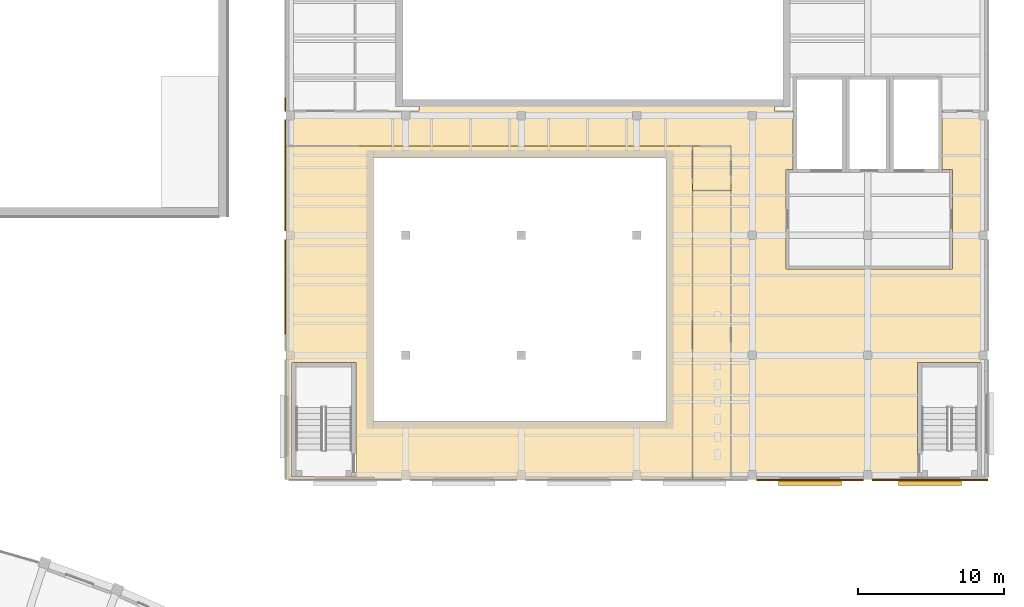
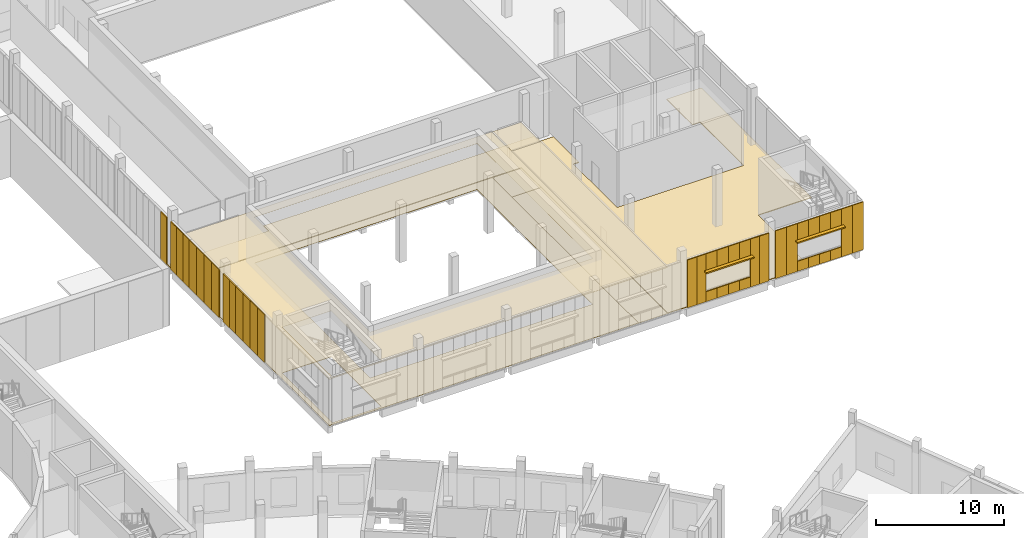
# One storey, part 107 of 112: 45 coverings, 2 shading devices.
"""IFC4 building model written with IfcOpenShell, lengths in metres."""

from ifc_helpers import new_model, si_unit, direction, frame, origin, origin_2d, place, context, subcontext, project, spatial, polyline, rectangle, outline, extrude, material, layer, layer_set, type_object, element, save


model = new_model("IFC4")

# Units and contexts
model_context = context("Model", 3, precision=1e-05, world=origin(), true_north=direction((0.0, 1.0)))
body_context = subcontext(model_context, "Body", "Model", "MODEL_VIEW")
ifc_project = project(units=[si_unit("LENGTHUNIT", "METRE"), si_unit("AREAUNIT", "SQUARE_METRE"), si_unit("VOLUMEUNIT", "CUBIC_METRE"), si_unit("PLANEANGLEUNIT", "RADIAN"), si_unit("MASSUNIT", "GRAM", prefix="KILO")], contexts=[model_context])

# Site, building, storey
site_placement = place(None, origin())
site = spatial("IfcSite", under=ifc_project, at=site_placement, CompositionType="ELEMENT")
building_placement = place(site_placement, origin())
building = spatial("IfcBuilding", under=site, at=building_placement, Name="Lunette Opera House", CompositionType="ELEMENT")
storey_placement = place(building_placement, frame((0.0, 0.0, 6.0)))
storey = spatial("IfcBuildingStorey", under=building, at=storey_placement, Name="L01", CompositionType="ELEMENT", Elevation=6.0)

# Coverings
ifc_material_1 = material(Name="Dark grey aluminium cassette", Category="aluminium")
ifc_layer_1 = layer(ifc_material_1, 0.080078125)
ifc_layer_set_1 = layer_set([ifc_layer_1], Name="Dark grey aluminium cassette")
covering_type_1 = type_object("IfcCoveringType", Name="DARK METAL CASSETTE 80", PredefinedType="CLADDING", material=ifc_layer_set_1)
covering_1_placement = place(storey_placement, frame((135.9599609375, 103.6630859375, 0.0), z_axis=(0.0, 0.0, 1.0), x_axis=(0.0, -1.0, 0.0)))
element("IfcCovering", 1, at=covering_1_placement, inside=storey, type_object=covering_type_1, Name="Dark Metal Cassette 80 WK L01", PredefinedType="CLADDING", context=body_context, shape_type="SweptSolid", body=[
    extrude(rectangle(XDim=0.925048828125, YDim=0.080078125, at=origin_2d()), origin(), (0.0, 0.0, 1.0), 4.550048828125),
])
for number, where, z_axis, x_axis, name in (
    (2, (135.9599609375, 102.112060546875, 0.0), (0.0, 0.0, 1.0), (0.0, -1.0, 0.0), "Dark Metal Cassette 80 WK L01"),
    (3, (135.9599609375, 101.136962890625, 0.0), (0.0, 0.0, 1.0), (0.0, -1.0, 0.0), "Dark Metal Cassette 80 WK L01"),
    (4, (135.9599609375, 100.162109375, 0.0), (0.0, 0.0, 1.0), (0.0, -1.0, 0.0), "Dark Metal Cassette 80 WK L01"),
):
    element("IfcCovering", number, at=place(storey_placement, frame(where, z_axis=z_axis, x_axis=x_axis)), inside=storey, type_object=covering_type_1, Name=name, PredefinedType="CLADDING", context=body_context, shape_type="SweptSolid", body=[
        extrude(rectangle(XDim=0.97509765625, YDim=0.080078125, at=origin_2d()), origin(), (0.0, 0.0, 1.0), 4.550048828125),
    ])
for number, where, z_axis, x_axis, name in (
    (5, (135.9599609375, 99.091064453125, 0.0), (0.0, 0.0, 1.0), (0.0, -1.0, 0.0), "Dark Metal Cassette 80 WK L01"),
    (6, (135.9599609375, 97.922119140625, 0.0), (0.0, 0.0, 1.0), (0.0, -1.0, 0.0), "Dark Metal Cassette 80 WK L01"),
    (7, (135.9599609375, 96.7529296875, 0.0), (0.0, 0.0, 1.0), (0.0, -1.0, 0.0), "Dark Metal Cassette 80 WK L01"),
    (8, (135.9599609375, 95.583984375, 0.0), (0.0, 0.0, 1.0), (0.0, -1.0, 0.0), "Dark Metal Cassette 80 WK L01"),
):
    element("IfcCovering", number, at=place(storey_placement, frame(where, z_axis=z_axis, x_axis=x_axis)), inside=storey, type_object=covering_type_1, Name=name, PredefinedType="CLADDING", context=body_context, shape_type="SweptSolid", body=[
        extrude(rectangle(XDim=1.1689453125, YDim=0.080078125, at=origin_2d()), origin(), (0.0, 0.0, 1.0), 4.550048828125),
    ])
for number, where, z_axis, x_axis, name in (
    (9, (135.9599609375, 93.9130859375, 0.0), (0.0, 0.0, 1.0), (0.0, -1.0, 0.0), "Dark Metal Cassette 80 WK L01"),
    (10, (135.9599609375, 92.93798828125, 0.0), (0.0, 0.0, 1.0), (0.0, -1.0, 0.0), "Dark Metal Cassette 80 WK L01"),
):
    element("IfcCovering", number, at=place(storey_placement, frame(where, z_axis=z_axis, x_axis=x_axis)), inside=storey, type_object=covering_type_1, Name=name, PredefinedType="CLADDING", context=body_context, shape_type="SweptSolid", body=[
        extrude(rectangle(XDim=0.97509765625, YDim=0.080078125, at=origin_2d()), origin(), (0.0, 0.0, 1.0), 4.550048828125),
    ])
for number, where, z_axis, x_axis, name in (
    (11, (135.9599609375, 91.885009765625, 0.0), (0.0, 0.0, 1.0), (0.0, -1.0, 0.0), "Dark Metal Cassette 80 WK L01"),
    (12, (135.9599609375, 90.7548828125, 0.0), (0.0, 0.0, 1.0), (0.0, -1.0, 0.0), "Dark Metal Cassette 80 WK L01"),
    (13, (135.9599609375, 89.625, 0.0), (0.0, 0.0, 1.0), (0.0, -1.0, 0.0), "Dark Metal Cassette 80 WK L01"),
    (14, (135.9599609375, 88.4951171875, 0.0), (0.0, 0.0, 1.0), (0.0, -1.0, 0.0), "Dark Metal Cassette 80 WK L01"),
):
    element("IfcCovering", number, at=place(storey_placement, frame(where, z_axis=z_axis, x_axis=x_axis)), inside=storey, type_object=covering_type_1, Name=name, PredefinedType="CLADDING", context=body_context, shape_type="SweptSolid", body=[
        extrude(rectangle(XDim=1.1298828125, YDim=0.080078125, at=origin_2d()), origin(), (0.0, 0.0, 1.0), 4.550048828125),
    ])
for number, where, z_axis, x_axis, name in (
    (15, (168.612060546875, 77.9599609375, 0.0), (0.0, 0.0, 1.0), (1.0, 0.0, 0.0), "Dark Metal Cassette 80 WK L01"),
    (16, (169.43798828125, 77.9599609375, 0.0), (0.0, 0.0, 1.0), (1.0, 0.0, 0.0), "Dark Metal Cassette 80 WK L01"),
):
    element("IfcCovering", number, at=place(storey_placement, frame(where, z_axis=z_axis, x_axis=x_axis)), inside=storey, type_object=covering_type_1, Name=name, PredefinedType="CLADDING", context=body_context, shape_type="SweptSolid", body=[
        extrude(rectangle(XDim=0.824951171875, YDim=0.080078125, at=origin_2d()), origin(), (0.0, 0.0, 1.0), 4.550048828125),
    ])
covering_2_placement = place(storey_placement, frame((170.35009765625, 77.9599609375, 0.0), z_axis=(0.0, 0.0, 1.0), x_axis=(1.0, 0.0, 0.0)))
element("IfcCovering", 17, at=covering_2_placement, inside=storey, type_object=covering_type_1, Name="Dark Metal Cassette 80 WK L01", PredefinedType="CLADDING", context=body_context, shape_type="SweptSolid", body=[
    extrude(rectangle(XDim=1.0, YDim=0.080078125, at=origin_2d()), origin(), (0.0, 0.0, 1.0), 0.949951171875),
])
covering_3_placement = place(storey_placement, frame((170.35009765625, 77.9599609375, 3.0), z_axis=(0.0, 0.0, 1.0), x_axis=(1.0, 0.0, 0.0)))
element("IfcCovering", 18, at=covering_3_placement, inside=storey, type_object=covering_type_1, Name="Dark Metal Cassette 80 WK L01", PredefinedType="CLADDING", context=body_context, shape_type="SweptSolid", body=[
    extrude(rectangle(XDim=1.0, YDim=0.080078125, at=origin_2d()), origin(), (0.0, 0.0, 1.0), 1.550048828125),
])
covering_4_placement = place(storey_placement, frame((171.35009765625, 77.9599609375, 0.0), z_axis=(0.0, 0.0, 1.0), x_axis=(1.0, 0.0, 0.0)))
element("IfcCovering", 19, at=covering_4_placement, inside=storey, type_object=covering_type_1, Name="Dark Metal Cassette 80 WK L01", PredefinedType="CLADDING", context=body_context, shape_type="SweptSolid", body=[
    extrude(rectangle(XDim=1.0, YDim=0.080078125, at=origin_2d()), origin(), (0.0, 0.0, 1.0), 0.949951171875),
])
covering_5_placement = place(storey_placement, frame((171.35009765625, 77.9599609375, 3.0), z_axis=(0.0, 0.0, 1.0), x_axis=(1.0, 0.0, 0.0)))
element("IfcCovering", 20, at=covering_5_placement, inside=storey, type_object=covering_type_1, Name="Dark Metal Cassette 80 WK L01", PredefinedType="CLADDING", context=body_context, shape_type="SweptSolid", body=[
    extrude(rectangle(XDim=1.0, YDim=0.080078125, at=origin_2d()), origin(), (0.0, 0.0, 1.0), 1.550048828125),
])
covering_6_placement = place(storey_placement, frame((172.35009765625, 77.9599609375, 0.0), z_axis=(0.0, 0.0, 1.0), x_axis=(1.0, 0.0, 0.0)))
element("IfcCovering", 21, at=covering_6_placement, inside=storey, type_object=covering_type_1, Name="Dark Metal Cassette 80 WK L01", PredefinedType="CLADDING", context=body_context, shape_type="SweptSolid", body=[
    extrude(rectangle(XDim=1.0, YDim=0.080078125, at=origin_2d()), origin(), (0.0, 0.0, 1.0), 0.949951171875),
])
covering_7_placement = place(storey_placement, frame((172.35009765625, 77.9599609375, 3.0), z_axis=(0.0, 0.0, 1.0), x_axis=(1.0, 0.0, 0.0)))
element("IfcCovering", 22, at=covering_7_placement, inside=storey, type_object=covering_type_1, Name="Dark Metal Cassette 80 WK L01", PredefinedType="CLADDING", context=body_context, shape_type="SweptSolid", body=[
    extrude(rectangle(XDim=1.0, YDim=0.080078125, at=origin_2d()), origin(), (0.0, 0.0, 1.0), 1.550048828125),
])
covering_8_placement = place(storey_placement, frame((173.35009765625, 77.9599609375, 0.0), z_axis=(0.0, 0.0, 1.0), x_axis=(1.0, 0.0, 0.0)))
element("IfcCovering", 23, at=covering_8_placement, inside=storey, type_object=covering_type_1, Name="Dark Metal Cassette 80 WK L01", PredefinedType="CLADDING", context=body_context, shape_type="SweptSolid", body=[
    extrude(rectangle(XDim=1.0, YDim=0.080078125, at=origin_2d()), origin(), (0.0, 0.0, 1.0), 0.949951171875),
])
covering_9_placement = place(storey_placement, frame((173.35009765625, 77.9599609375, 3.0), z_axis=(0.0, 0.0, 1.0), x_axis=(1.0, 0.0, 0.0)))
element("IfcCovering", 24, at=covering_9_placement, inside=storey, type_object=covering_type_1, Name="Dark Metal Cassette 80 WK L01", PredefinedType="CLADDING", context=body_context, shape_type="SweptSolid", body=[
    extrude(rectangle(XDim=1.0, YDim=0.080078125, at=origin_2d()), origin(), (0.0, 0.0, 1.0), 1.550048828125),
])
for number, where, z_axis, x_axis, name in (
    (25, (174.261962890625, 77.9599609375, 0.0), (0.0, 0.0, 1.0), (1.0, 0.0, 0.0), "Dark Metal Cassette 80 WK L01"),
    (26, (175.087890625, 77.9599609375, 0.0), (0.0, 0.0, 1.0), (1.0, 0.0, 0.0), "Dark Metal Cassette 80 WK L01"),
):
    element("IfcCovering", number, at=place(storey_placement, frame(where, z_axis=z_axis, x_axis=x_axis)), inside=storey, type_object=covering_type_1, Name=name, PredefinedType="CLADDING", context=body_context, shape_type="SweptSolid", body=[
        extrude(rectangle(XDim=0.824951171875, YDim=0.080078125, at=origin_2d()), origin(), (0.0, 0.0, 1.0), 4.550048828125),
    ])
for number, where, z_axis, x_axis, name in (
    (27, (176.587890625, 77.9599609375, 0.0), (0.0, 0.0, 1.0), (1.0, 0.0, 0.0), "Dark Metal Cassette 80 WK L01"),
    (28, (177.56201171875, 77.9599609375, 0.0), (0.0, 0.0, 1.0), (1.0, 0.0, 0.0), "Dark Metal Cassette 80 WK L01"),
):
    element("IfcCovering", number, at=place(storey_placement, frame(where, z_axis=z_axis, x_axis=x_axis)), inside=storey, type_object=covering_type_1, Name=name, PredefinedType="CLADDING", context=body_context, shape_type="SweptSolid", body=[
        extrude(rectangle(XDim=0.97509765625, YDim=0.080078125, at=origin_2d()), origin(), (0.0, 0.0, 1.0), 4.550048828125),
    ])
covering_10_placement = place(storey_placement, frame((178.550048828125, 77.9599609375, 0.0), z_axis=(0.0, 0.0, 1.0), x_axis=(1.0, 0.0, 0.0)))
element("IfcCovering", 29, at=covering_10_placement, inside=storey, type_object=covering_type_1, Name="Dark Metal Cassette 80 WK L01", PredefinedType="CLADDING", context=body_context, shape_type="SweptSolid", body=[
    extrude(rectangle(XDim=1.0, YDim=0.080078125, at=origin_2d()), origin(), (0.0, 0.0, 1.0), 0.949951171875),
])
covering_11_placement = place(storey_placement, frame((178.550048828125, 77.9599609375, 3.0), z_axis=(0.0, 0.0, 1.0), x_axis=(1.0, 0.0, 0.0)))
element("IfcCovering", 30, at=covering_11_placement, inside=storey, type_object=covering_type_1, Name="Dark Metal Cassette 80 WK L01", PredefinedType="CLADDING", context=body_context, shape_type="SweptSolid", body=[
    extrude(rectangle(XDim=1.0, YDim=0.080078125, at=origin_2d()), origin(), (0.0, 0.0, 1.0), 1.550048828125),
])
covering_12_placement = place(storey_placement, frame((179.550048828125, 77.9599609375, 0.0), z_axis=(0.0, 0.0, 1.0), x_axis=(1.0, 0.0, 0.0)))
element("IfcCovering", 31, at=covering_12_placement, inside=storey, type_object=covering_type_1, Name="Dark Metal Cassette 80 WK L01", PredefinedType="CLADDING", context=body_context, shape_type="SweptSolid", body=[
    extrude(rectangle(XDim=1.0, YDim=0.080078125, at=origin_2d()), origin(), (0.0, 0.0, 1.0), 0.949951171875),
])
covering_13_placement = place(storey_placement, frame((179.550048828125, 77.9599609375, 3.0), z_axis=(0.0, 0.0, 1.0), x_axis=(1.0, 0.0, 0.0)))
element("IfcCovering", 32, at=covering_13_placement, inside=storey, type_object=covering_type_1, Name="Dark Metal Cassette 80 WK L01", PredefinedType="CLADDING", context=body_context, shape_type="SweptSolid", body=[
    extrude(rectangle(XDim=1.0, YDim=0.080078125, at=origin_2d()), origin(), (0.0, 0.0, 1.0), 1.550048828125),
])
covering_14_placement = place(storey_placement, frame((180.550048828125, 77.9599609375, 0.0), z_axis=(0.0, 0.0, 1.0), x_axis=(1.0, 0.0, 0.0)))
element("IfcCovering", 33, at=covering_14_placement, inside=storey, type_object=covering_type_1, Name="Dark Metal Cassette 80 WK L01", PredefinedType="CLADDING", context=body_context, shape_type="SweptSolid", body=[
    extrude(rectangle(XDim=1.0, YDim=0.080078125, at=origin_2d()), origin(), (0.0, 0.0, 1.0), 0.949951171875),
])
covering_15_placement = place(storey_placement, frame((180.550048828125, 77.9599609375, 3.0), z_axis=(0.0, 0.0, 1.0), x_axis=(1.0, 0.0, 0.0)))
element("IfcCovering", 34, at=covering_15_placement, inside=storey, type_object=covering_type_1, Name="Dark Metal Cassette 80 WK L01", PredefinedType="CLADDING", context=body_context, shape_type="SweptSolid", body=[
    extrude(rectangle(XDim=1.0, YDim=0.080078125, at=origin_2d()), origin(), (0.0, 0.0, 1.0), 1.550048828125),
])
covering_16_placement = place(storey_placement, frame((181.550048828125, 77.9599609375, 0.0), z_axis=(0.0, 0.0, 1.0), x_axis=(1.0, 0.0, 0.0)))
element("IfcCovering", 35, at=covering_16_placement, inside=storey, type_object=covering_type_1, Name="Dark Metal Cassette 80 WK L01", PredefinedType="CLADDING", context=body_context, shape_type="SweptSolid", body=[
    extrude(rectangle(XDim=1.0, YDim=0.080078125, at=origin_2d()), origin(), (0.0, 0.0, 1.0), 0.949951171875),
])
covering_17_placement = place(storey_placement, frame((181.550048828125, 77.9599609375, 3.0), z_axis=(0.0, 0.0, 1.0), x_axis=(1.0, 0.0, 0.0)))
element("IfcCovering", 36, at=covering_17_placement, inside=storey, type_object=covering_type_1, Name="Dark Metal Cassette 80 WK L01", PredefinedType="CLADDING", context=body_context, shape_type="SweptSolid", body=[
    extrude(rectangle(XDim=1.0, YDim=0.080078125, at=origin_2d()), origin(), (0.0, 0.0, 1.0), 1.550048828125),
])
for number, where, z_axis, x_axis, name in (
    (37, (182.537109375, 77.9599609375, 0.0), (0.0, 0.0, 1.0), (1.0, 0.0, 0.0), "Dark Metal Cassette 80 WK L01"),
    (38, (183.511962890625, 77.9599609375, 0.0), (0.0, 0.0, 1.0), (1.0, 0.0, 0.0), "Dark Metal Cassette 80 WK L01"),
):
    element("IfcCovering", number, at=place(storey_placement, frame(where, z_axis=z_axis, x_axis=x_axis)), inside=storey, type_object=covering_type_1, Name=name, PredefinedType="CLADDING", context=body_context, shape_type="SweptSolid", body=[
        extrude(rectangle(XDim=0.97509765625, YDim=0.080078125, at=origin_2d()), origin(), (0.0, 0.0, 1.0), 4.550048828125),
    ])
ifc_material_2 = material(Name="Cement screed")
ifc_layer_2 = layer(ifc_material_2, 0.070068359375)
ifc_layer_set_2 = layer_set([ifc_layer_2], Name="Cement screed")
covering_type_2 = type_object("IfcCoveringType", Name="SCREED FLOOR FINISH 70", PredefinedType="FLOORING", material=ifc_layer_set_2)
covering_18_placement = place(storey_placement, origin())
element("IfcCovering", 39, at=covering_18_placement, inside=storey, type_object=covering_type_2, Name="Floor finish Corridor L01 Workshop", PredefinedType="FLOORING", context=body_context, shape_type="SweptSolid", body=[
    extrude(outline(polyline([(180.89990234375, 99.199951171875), (180.89990234375, 100.800048828125), (180.89990234375, 103.199951171875), (184.0, 103.199951171875), (184.0, 100.800048828125), (184.0, 86.0009765625), (183.597900390625, 86.0009765625), (183.597900390625, 86.0), (179.199951171875, 86.0), (179.199951171875, 78.201904296875), (179.198974609375, 78.201904296875), (179.198974609375, 78.0), (166.4541015625, 78.0), (166.4541015625, 100.800048828125), (136.0, 100.800048828125), (136.0, 103.199951171875), (145.112060546875, 103.199951171875), (145.112060546875, 104.0), (159.471923828125, 104.0), (169.4130859375, 104.0), (169.4130859375, 103.199951171875), (170.699951171875, 103.199951171875), (170.699951171875, 100.800048828125), (170.699951171875, 99.199951171875), (170.199951171875, 99.199951171875), (170.199951171875, 92.39990234375), (181.60009765625, 92.39990234375), (181.60009765625, 99.199951171875), (180.89990234375, 99.199951171875)])), origin(), (0.0, 0.0, 1.0), 0.070068359375),
])
ifc_material_3 = material(Name="Mineral fibre board")
ifc_layer_3 = layer(ifc_material_3, 0.014892578125)
ifc_layer_set_3 = layer_set([ifc_layer_3], Name="Mineral fibre board")
covering_type_3 = type_object("IfcCoveringType", Name="SUSPENDED ACOUSTIC CEILING 15", PredefinedType="CEILING", material=ifc_layer_set_3)
covering_19_placement = place(storey_placement, frame((0.0, 0.0, 4.385009765625)))
element("IfcCovering", 40, at=covering_19_placement, inside=storey, type_object=covering_type_3, Name="Ceiling Scenery Design Studio", PredefinedType="CEILING", context=body_context, shape_type="SweptSolid", body=[
    extrude(outline(polyline([(136.0, 100.800048828125), (163.822021484375, 100.800048828125), (163.822021484375, 78.0), (136.0, 78.0), (136.0, 100.800048828125)]), holes=[polyline([(162.0, 100.0), (142.0, 100.0), (142.0, 82.0), (162.0, 82.0), (162.0, 100.0)]), polyline([(136.39990234375, 78.199951171875), (140.800048828125, 78.199951171875), (140.800048828125, 86.0), (136.39990234375, 86.0), (136.39990234375, 78.199951171875)])]), origin(), (0.0, 0.0, 1.0), 0.014892578125),
])
covering_20_placement = place(storey_placement, frame((0.0, 0.0, 4.385009765625)))
element("IfcCovering", 41, at=covering_20_placement, inside=storey, type_object=covering_type_3, Name="Ceiling Workshop WC L01", PredefinedType="CEILING", context=body_context, shape_type="SweptSolid", body=[
    extrude(outline(polyline([(163.822021484375, 97.760009765625), (166.4541015625, 97.760009765625), (166.4541015625, 78.0), (163.822021484375, 78.0), (163.822021484375, 97.760009765625)])), origin(), (0.0, 0.0, 1.0), 0.014892578125),
])
covering_21_placement = place(storey_placement, frame((0.0, 0.0, 4.385009765625)))
element("IfcCovering", 42, at=covering_21_placement, inside=storey, type_object=covering_type_3, Name="Ceiling Accessible WC L01 Workshop", PredefinedType="CEILING", context=body_context, shape_type="SweptSolid", body=[
    extrude(outline(polyline([(163.822021484375, 100.800048828125), (166.4541015625, 100.800048828125), (166.4541015625, 97.760009765625), (163.822021484375, 97.760009765625), (163.822021484375, 100.800048828125)])), origin(), (0.0, 0.0, 1.0), 0.014892578125),
])
ifc_material_4 = material(Name="Ceramic tile")
ifc_layer_4 = layer(ifc_material_4, 0.02490234375)
ifc_layer_set_4 = layer_set([ifc_layer_4], Name="Ceramic tile")
covering_type_4 = type_object("IfcCoveringType", Name="TILED FLOOR FINISH 25", PredefinedType="FLOORING", material=ifc_layer_set_4)
covering_22_placement = place(storey_placement, origin())
element("IfcCovering", 43, at=covering_22_placement, inside=storey, type_object=covering_type_4, Name="Floor finish Workshop WC L01", PredefinedType="FLOORING", context=body_context, shape_type="SweptSolid", body=[
    extrude(outline(polyline([(163.822021484375, 97.760009765625), (166.4541015625, 97.760009765625), (166.4541015625, 78.0), (163.822021484375, 78.0), (163.822021484375, 97.760009765625)])), origin(), (0.0, 0.0, 1.0), 0.02490234375),
])
covering_23_placement = place(storey_placement, origin())
element("IfcCovering", 44, at=covering_23_placement, inside=storey, type_object=covering_type_4, Name="Floor finish Accessible WC L01 Workshop", PredefinedType="FLOORING", context=body_context, shape_type="SweptSolid", body=[
    extrude(outline(polyline([(163.822021484375, 100.800048828125), (166.4541015625, 100.800048828125), (166.4541015625, 97.760009765625), (163.822021484375, 97.760009765625), (163.822021484375, 100.800048828125)])), origin(), (0.0, 0.0, 1.0), 0.02490234375),
])
ifc_material_5 = material(Name="Timber", Category="wood")
ifc_layer_5 = layer(ifc_material_5, 0.0400390625)
ifc_layer_set_5 = layer_set([ifc_layer_5], Name="Timber")
covering_type_5 = type_object("IfcCoveringType", Name="TIMBER FLOOR FINISH 40", PredefinedType="FLOORING", material=ifc_layer_set_5)
covering_24_placement = place(storey_placement, origin())
element("IfcCovering", 45, at=covering_24_placement, inside=storey, type_object=covering_type_5, Name="Floor finish Scenery Design Studio", PredefinedType="FLOORING", context=body_context, shape_type="SweptSolid", body=[
    extrude(outline(polyline([(136.0, 100.800048828125), (163.822021484375, 100.800048828125), (163.822021484375, 78.0), (136.0, 78.0), (136.0, 100.800048828125)]), holes=[polyline([(162.0, 100.0), (142.0, 100.0), (142.0, 82.0), (162.0, 82.0), (162.0, 100.0)]), polyline([(136.39990234375, 78.199951171875), (140.800048828125, 78.199951171875), (140.800048828125, 86.0), (136.39990234375, 86.0), (136.39990234375, 78.199951171875)])]), origin(), (0.0, 0.0, 1.0), 0.0400390625),
])

# Shading devices
ifc_material_6 = material(Name="Powder-coated aluminium", Category="aluminium")
ifc_layer_6 = layer(ifc_material_6, 0.1201171875)
ifc_layer_set_6 = layer_set([ifc_layer_6], Name="Powder-coated aluminium")
shading_device_type = type_object("IfcShadingDeviceType", Name="WINDOW HOOD 400 X 4300", PredefinedType="USERDEFINED", material=ifc_layer_set_6)
for number, where, z_axis, x_axis, name in (
    (46, (171.85009765625, 77.800048828125, 2.8798828125), (0.0, 0.0, 1.0), (0.0, -1.0, 0.0), "Window hood WW-N2015"),
    (47, (180.050048828125, 77.800048828125, 2.8798828125), (0.0, 0.0, 1.0), (0.0, -1.0, 0.0), "Window hood WW-N2016"),
):
    element("IfcShadingDevice", number, at=place(storey_placement, frame(where, z_axis=z_axis, x_axis=x_axis)), inside=storey, type_object=shading_device_type, Name=name, ObjectType="WINDOW HOOD", PredefinedType="USERDEFINED", context=body_context, shape_type="SweptSolid", body=[
        extrude(rectangle(XDim=0.39990234375, YDim=4.300048828125, at=origin_2d()), origin(), (0.0, 0.0, 1.0), 0.1201171875),
    ])

save(model, "model.ifc")
